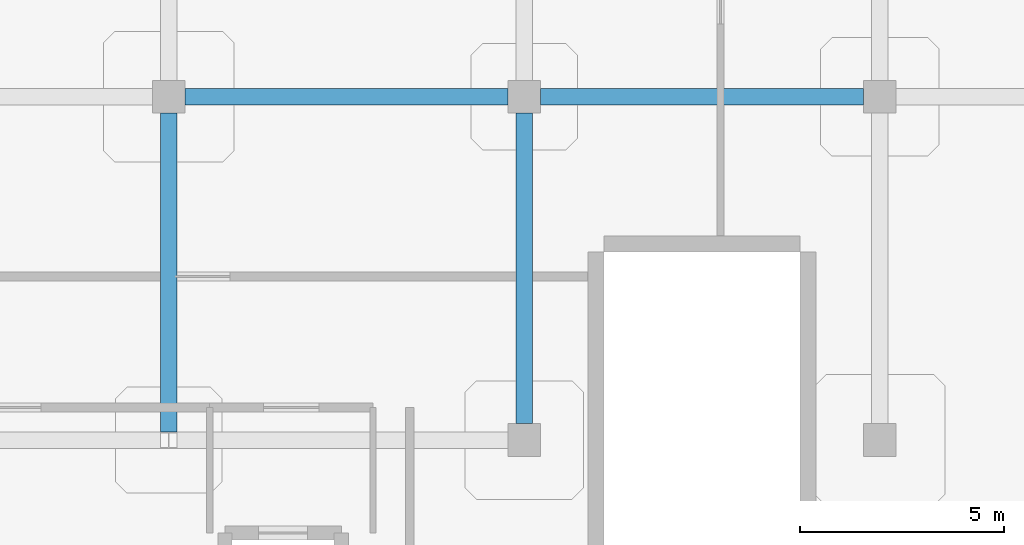
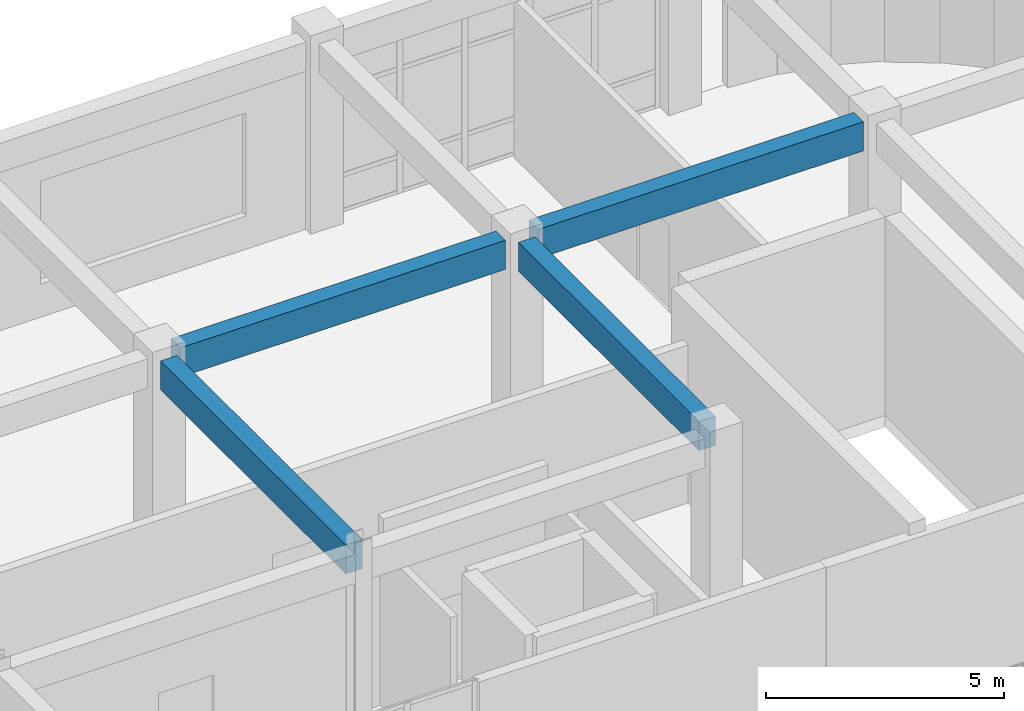
# One storey, part 58 of 96: 4 beams.
"""IFC4 building model written with IfcOpenShell, lengths in metres."""

from ifc_helpers import new_model, si_unit, derived_unit, direction, frame, origin, origin_2d, place, context, subcontext, project, spatial, rectangle, extrude, material, material_profile, profile_set, type_object, element, save


model = new_model("IFC4")

# Units and contexts
model_context = context("Model", 3, precision=1e-05, world=origin(), true_north=direction((0.0, 1.0)))
body_context = subcontext(model_context, "Body", "Model", "MODEL_VIEW")
ifc_project = project(units=[si_unit("LENGTHUNIT", "METRE"), si_unit("AREAUNIT", "SQUARE_METRE"), si_unit("VOLUMEUNIT", "CUBIC_METRE"), si_unit("PLANEANGLEUNIT", "RADIAN"), si_unit("MASSUNIT", "GRAM", prefix="KILO"), derived_unit("THERMALTRANSMITTANCEUNIT", [(si_unit("MASSUNIT", "GRAM", prefix="KILO"), 1), (si_unit("TIMEUNIT", "SECOND"), -3), (si_unit("THERMODYNAMICTEMPERATUREUNIT", "KELVIN"), -1)])], contexts=[model_context])

# Site, building, storey
site_placement = place(None, origin())
site = spatial("IfcSite", under=ifc_project, at=site_placement, CompositionType="ELEMENT")
building_placement = place(site_placement, origin())
building = spatial("IfcBuilding", under=site, at=building_placement, Name="Qinzheling Arcade Emporium", CompositionType="ELEMENT")
storey_placement = place(building_placement, frame((0.0, 0.0, 21.60009765625)))
storey = spatial("IfcBuildingStorey", under=building, at=storey_placement, Name="L05", CompositionType="ELEMENT", Elevation=21.60009765625)

# Beams
ifc_material = material(Name="Concrete C40", Category="concrete")
ifc_material_profile = material_profile(ifc_material, rectangle(XDim=0.39990234375, YDim=0.75, at=origin_2d()), Name="RC 400x750", Category="concrete")
ifc_profile_set = profile_set([ifc_material_profile], Name="Concrete C40")
beam_type = type_object("IfcBeamType", Name="RC Interior Tie Beam 400x750 C40", PredefinedType="BEAM", material=ifc_profile_set)
beam_1_placement = place(storey_placement, frame((130.89990234375, 16.800048828125, 4.44482421875), z_axis=(1.0, 0.0, 0.0), x_axis=(0.0, 1.0, 0.0)))
element("IfcBeam", 1, at=beam_1_placement, inside=storey, type_object=beam_type, Name="Beam BM-L05-X-C-16", PredefinedType="BEAM", context=body_context, shape_type="SweptSolid", body=[
    extrude(rectangle(XDim=0.39990234375, YDim=0.75, at=origin_2d()), origin(), (0.0, 0.0, 1.0), 7.900146484375),
])
beam_2_placement = place(storey_placement, frame((139.60009765625, 16.800048828125, 4.44482421875), z_axis=(1.0, 0.0, 0.0), x_axis=(0.0, 1.0, 0.0)))
element("IfcBeam", 2, at=beam_2_placement, inside=storey, type_object=beam_type, Name="Beam BM-L05-X-C-17", PredefinedType="BEAM", context=body_context, shape_type="SweptSolid", body=[
    extrude(rectangle(XDim=0.39990234375, YDim=0.75, at=origin_2d()), origin(), (0.0, 0.0, 1.0), 7.89990234375),
])
beam_3_placement = place(storey_placement, frame((130.5, 8.60009765625, 4.44482421875), z_axis=(0.0, 1.0, 0.0), x_axis=(-1.0, 0.0, 0.0)))
element("IfcBeam", 3, at=beam_3_placement, inside=storey, type_object=beam_type, Name="Beam BM-L05-Y-16-B", PredefinedType="BEAM", context=body_context, shape_type="SweptSolid", body=[
    extrude(rectangle(XDim=0.39990234375, YDim=0.75, at=origin_2d()), origin(), (0.0, 0.0, 1.0), 7.7998046875),
])
beam_4_placement = place(storey_placement, frame((139.199951171875, 8.800048828125, 4.44482421875), z_axis=(0.0, 1.0, 0.0), x_axis=(-1.0, 0.0, 0.0)))
element("IfcBeam", 4, at=beam_4_placement, inside=storey, type_object=beam_type, Name="Beam BM-L05-Y-17-B", PredefinedType="BEAM", context=body_context, shape_type="SweptSolid", body=[
    extrude(rectangle(XDim=0.39990234375, YDim=0.75, at=origin_2d()), origin(), (0.0, 0.0, 1.0), 7.599853515625),
])

save(model, "model.ifc")
